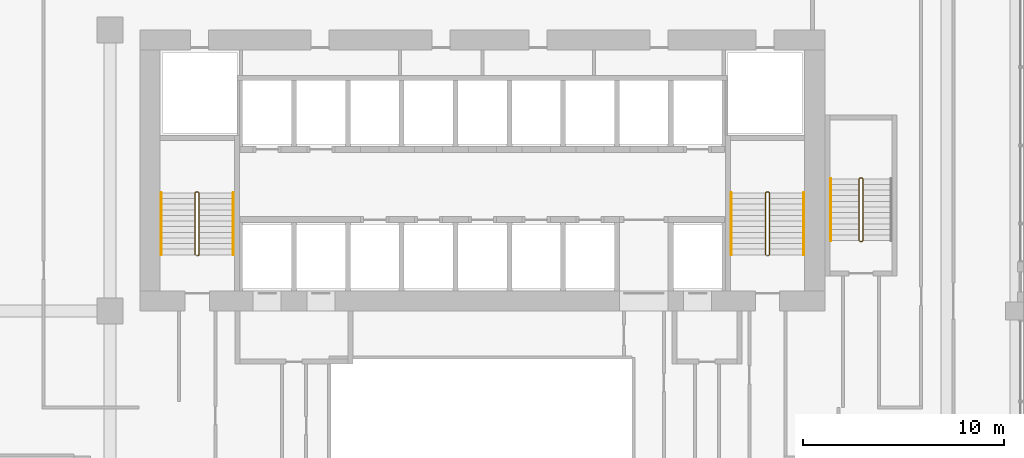
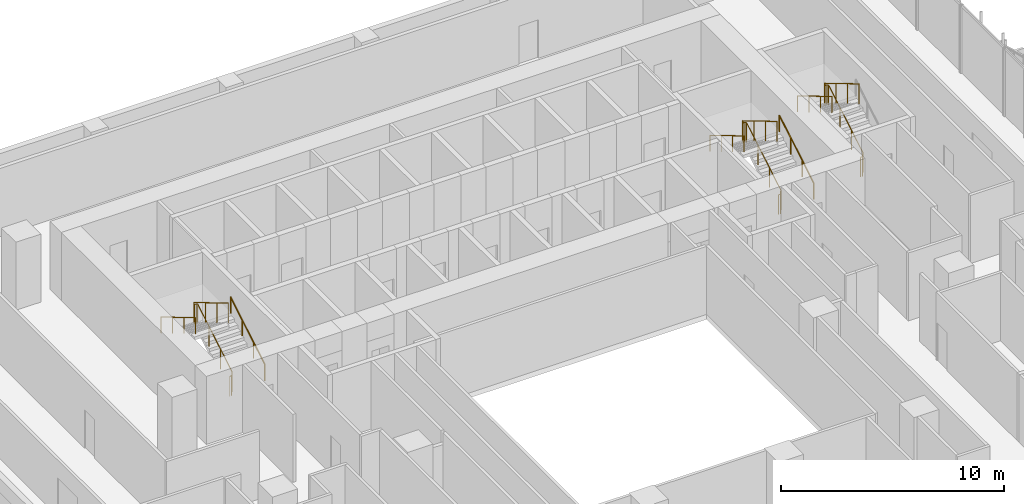
# One storey, part 26 of 27: 8 railings.
"""IFC4 building model written with IfcOpenShell, lengths in metres."""

from ifc_helpers import new_model, si_unit, direction, frame, origin, origin_2d, place, context, subcontext, project, spatial, circle, extrude, material, type_object, element, save


model = new_model("IFC4")

# Units and contexts
model_context = context("Model", 3, precision=1e-05, world=origin(), true_north=direction((0.0, 1.0)))
body_context = subcontext(model_context, "Body", "Model", "MODEL_VIEW")
ifc_project = project(units=[si_unit("LENGTHUNIT", "METRE"), si_unit("AREAUNIT", "SQUARE_METRE"), si_unit("VOLUMEUNIT", "CUBIC_METRE"), si_unit("PLANEANGLEUNIT", "RADIAN"), si_unit("MASSUNIT", "GRAM", prefix="KILO")], contexts=[model_context])

# Site, building, storey
site_placement = place(None, origin())
site = spatial("IfcSite", under=ifc_project, at=site_placement, CompositionType="ELEMENT")
building_placement = place(site_placement, origin())
building = spatial("IfcBuilding", under=site, at=building_placement, Name="Kilnfold Tower and Market Hall", CompositionType="ELEMENT")
storey_placement = place(building_placement, frame((0.0, 0.0, 43.0)))
storey = spatial("IfcBuildingStorey", under=building, at=storey_placement, Name="L09", CompositionType="ELEMENT", Elevation=43.0)

# Railings
ifc_material_1 = material(Name="Stainless steel 316", Category="steel")
railing_type_1 = type_object("IfcRailingType", Name="CORE STAIR GUARD 1100", PredefinedType="GUARDRAIL", material=ifc_material_1)
railing_1_placement = place(storey_placement, frame((-13.199951171875, 10.75, 0.0)))
element("IfcRailing", 1, at=railing_1_placement, inside=storey, type_object=railing_type_1, Name="L09 ST1 stair guard 1", PredefinedType="GUARDRAIL", context=body_context, shape_type="SweptSolid", body=[
    extrude(circle(Radius=0.02392578125, at=origin_2d()), frame((0.0, 0.0, 1.076171875), z_axis=(1.0, 0.0, 0.0), x_axis=(0.0, 1.0, 0.0)), (0.0, 0.0, 1.0), 0.099853515625),
    extrude(circle(Radius=0.02392578125, at=origin_2d()), frame((0.099853515625, 0.0, 1.076171875), z_axis=(0.27628659633, 0.27628659633, 0.920506074601), x_axis=(-0.707106781187, 0.707106781187, 0.0)), (0.0, 0.0, 1.0), 0.18115234375),
    extrude(circle(Radius=0.02392578125, at=origin_2d()), frame((0.14990234375, 0.050048828125, 1.24267578125), z_axis=(0.0, 0.859290745958, 0.51148745235), x_axis=(-1.0, 0.0, 0.0)), (0.0, 0.0, 1.0), 3.584228515625),
    extrude(circle(Radius=0.02392578125, at=origin_2d()), frame((0.14990234375, 3.1298828125, 3.076171875), z_axis=(-0.707106781187, 0.707106781187, 0.0), x_axis=(-0.707106781187, -0.707106781187, 0.0)), (0.0, 0.0, 1.0), 0.07080078125),
    extrude(circle(Radius=0.02392578125, at=origin_2d()), frame((0.099853515625, 3.179931640625, 3.076171875), z_axis=(-1.0, 0.0, 0.0), x_axis=(0.0, -1.0, 0.0)), (0.0, 0.0, 1.0), 0.099853515625),
    extrude(circle(Radius=0.02392578125, at=origin_2d()), frame((0.0, 3.179931640625, 3.076171875), z_axis=(-0.27628659633, -0.27628659633, 0.920506074601), x_axis=(0.707106781187, -0.707106781187, 0.0)), (0.0, 0.0, 1.0), 0.18115234375),
    extrude(circle(Radius=0.02392578125, at=origin_2d()), frame((-0.050048828125, 3.1298828125, 3.24267578125), z_axis=(0.0, -0.859290745958, 0.51148745235), x_axis=(1.0, 0.0, 0.0)), (0.0, 0.0, 1.0), 3.584228515625),
    extrude(circle(Radius=0.02099609375, at=origin_2d()), origin(), (0.0, 0.0, 1.0), 1.052001953125),
    extrude(circle(Radius=0.02099609375, at=origin_2d()), frame((0.099853515625, 0.0, 0.0)), (0.0, 0.0, 1.0), 1.052001953125),
    extrude(circle(Radius=0.02099609375, at=origin_2d()), frame((0.14990234375, 0.050048828125, 0.166748046875)), (0.0, 0.0, 1.0), 1.052001953125),
    extrude(circle(Radius=0.02099609375, at=origin_2d()), frame((0.14990234375, 1.07666015625, 0.77783203125)), (0.0, 0.0, 1.0), 1.052001953125),
    extrude(circle(Radius=0.02099609375, at=origin_2d()), frame((0.14990234375, 2.103271484375, 1.388916015625)), (0.0, 0.0, 1.0), 1.052001953125),
    extrude(circle(Radius=0.02099609375, at=origin_2d()), frame((0.14990234375, 3.1298828125, 2.0)), (0.0, 0.0, 1.0), 1.052001953125),
    extrude(circle(Radius=0.02099609375, at=origin_2d()), frame((0.099853515625, 3.179931640625, 2.0)), (0.0, 0.0, 1.0), 1.052001953125),
    extrude(circle(Radius=0.02099609375, at=origin_2d()), frame((0.0, 3.179931640625, 2.0)), (0.0, 0.0, 1.0), 1.052001953125),
    extrude(circle(Radius=0.02099609375, at=origin_2d()), frame((-0.050048828125, 3.1298828125, 2.166748046875)), (0.0, 0.0, 1.0), 1.052001953125),
    extrude(circle(Radius=0.02099609375, at=origin_2d()), frame((-0.050048828125, 2.103271484375, 2.77783203125)), (0.0, 0.0, 1.0), 1.052001953125),
    extrude(circle(Radius=0.02099609375, at=origin_2d()), frame((-0.050048828125, 1.07666015625, 3.388916015625)), (0.0, 0.0, 1.0), 1.052001953125),
    extrude(circle(Radius=0.02099609375, at=origin_2d()), frame((-0.050048828125, 0.050048828125, 4.0)), (0.0, 0.0, 1.0), 1.052001953125),
])
railing_2_placement = place(storey_placement, frame((15.199951171875, 10.75, 0.0)))
element("IfcRailing", 2, at=railing_2_placement, inside=storey, type_object=railing_type_1, Name="L09 ST2 stair guard 1", PredefinedType="GUARDRAIL", context=body_context, shape_type="SweptSolid", body=[
    extrude(circle(Radius=0.02392578125, at=origin_2d()), frame((0.0, 0.0, 1.076171875), z_axis=(1.0, 0.0, 0.0), x_axis=(0.0, 1.0, 0.0)), (0.0, 0.0, 1.0), 0.10009765625),
    extrude(circle(Radius=0.02392578125, at=origin_2d()), frame((0.10009765625, 0.0, 1.076171875), z_axis=(0.27628659633, 0.27628659633, 0.920506074601), x_axis=(-0.707106781187, 0.707106781187, 0.0)), (0.0, 0.0, 1.0), 0.18115234375),
    extrude(circle(Radius=0.02392578125, at=origin_2d()), frame((0.150146484375, 0.050048828125, 1.24267578125), z_axis=(0.0, 0.859290745958, 0.51148745235), x_axis=(-1.0, 0.0, 0.0)), (0.0, 0.0, 1.0), 3.584228515625),
    extrude(circle(Radius=0.02392578125, at=origin_2d()), frame((0.150146484375, 3.1298828125, 3.076171875), z_axis=(-0.707106781187, 0.707106781187, 0.0), x_axis=(-0.707106781187, -0.707106781187, 0.0)), (0.0, 0.0, 1.0), 0.07080078125),
    extrude(circle(Radius=0.02392578125, at=origin_2d()), frame((0.10009765625, 3.179931640625, 3.076171875), z_axis=(-1.0, 0.0, 0.0), x_axis=(0.0, -1.0, 0.0)), (0.0, 0.0, 1.0), 0.10009765625),
    extrude(circle(Radius=0.02392578125, at=origin_2d()), frame((0.0, 3.179931640625, 3.076171875), z_axis=(-0.27628659633, -0.27628659633, 0.920506074601), x_axis=(0.707106781187, -0.707106781187, 0.0)), (0.0, 0.0, 1.0), 0.18115234375),
    extrude(circle(Radius=0.02392578125, at=origin_2d()), frame((-0.050048828125, 3.1298828125, 3.24267578125), z_axis=(0.0, -0.859290745958, 0.51148745235), x_axis=(1.0, 0.0, 0.0)), (0.0, 0.0, 1.0), 3.584228515625),
    extrude(circle(Radius=0.02099609375, at=origin_2d()), origin(), (0.0, 0.0, 1.0), 1.052001953125),
    extrude(circle(Radius=0.02099609375, at=origin_2d()), frame((0.10009765625, 0.0, 0.0)), (0.0, 0.0, 1.0), 1.052001953125),
    extrude(circle(Radius=0.02099609375, at=origin_2d()), frame((0.150146484375, 0.050048828125, 0.166748046875)), (0.0, 0.0, 1.0), 1.052001953125),
    extrude(circle(Radius=0.02099609375, at=origin_2d()), frame((0.150146484375, 1.07666015625, 0.77783203125)), (0.0, 0.0, 1.0), 1.052001953125),
    extrude(circle(Radius=0.02099609375, at=origin_2d()), frame((0.150146484375, 2.103271484375, 1.388916015625)), (0.0, 0.0, 1.0), 1.052001953125),
    extrude(circle(Radius=0.02099609375, at=origin_2d()), frame((0.150146484375, 3.1298828125, 2.0)), (0.0, 0.0, 1.0), 1.052001953125),
    extrude(circle(Radius=0.02099609375, at=origin_2d()), frame((0.10009765625, 3.179931640625, 2.0)), (0.0, 0.0, 1.0), 1.052001953125),
    extrude(circle(Radius=0.02099609375, at=origin_2d()), frame((0.0, 3.179931640625, 2.0)), (0.0, 0.0, 1.0), 1.052001953125),
    extrude(circle(Radius=0.02099609375, at=origin_2d()), frame((-0.050048828125, 3.1298828125, 2.166748046875)), (0.0, 0.0, 1.0), 1.052001953125),
    extrude(circle(Radius=0.02099609375, at=origin_2d()), frame((-0.050048828125, 2.103271484375, 2.77783203125)), (0.0, 0.0, 1.0), 1.052001953125),
    extrude(circle(Radius=0.02099609375, at=origin_2d()), frame((-0.050048828125, 1.07666015625, 3.388916015625)), (0.0, 0.0, 1.0), 1.052001953125),
    extrude(circle(Radius=0.02099609375, at=origin_2d()), frame((-0.050048828125, 0.050048828125, 4.0)), (0.0, 0.0, 1.0), 1.052001953125),
])
railing_3_placement = place(storey_placement, frame((19.85009765625, 11.449951171875, 0.0)))
element("IfcRailing", 3, at=railing_3_placement, inside=storey, type_object=railing_type_1, Name="L09 ST5 stair guard 1", PredefinedType="GUARDRAIL", context=body_context, shape_type="SweptSolid", body=[
    extrude(circle(Radius=0.02392578125, at=origin_2d()), frame((0.0, 0.0, 1.076171875), z_axis=(1.0, 0.0, 0.0), x_axis=(0.0, 1.0, 0.0)), (0.0, 0.0, 1.0), 0.099853515625),
    extrude(circle(Radius=0.02392578125, at=origin_2d()), frame((0.099853515625, 0.0, 1.076171875), z_axis=(0.27628659633, 0.27628659633, 0.920506074601), x_axis=(-0.707106781187, 0.707106781187, 0.0)), (0.0, 0.0, 1.0), 0.18115234375),
    extrude(circle(Radius=0.02392578125, at=origin_2d()), frame((0.14990234375, 0.050048828125, 1.24267578125), z_axis=(0.0, 0.859308565015, 0.511457515432), x_axis=(-1.0, 0.0, 0.0)), (0.0, 0.0, 1.0), 3.58447265625),
    extrude(circle(Radius=0.02392578125, at=origin_2d()), frame((0.14990234375, 3.130126953125, 3.076171875), z_axis=(-0.708833529934, 0.705375805398, 0.0), x_axis=(-0.705375805398, -0.708833529934, 0.0)), (0.0, 0.0, 1.0), 0.070556640625),
    extrude(circle(Radius=0.02392578125, at=origin_2d()), frame((0.099853515625, 3.179931640625, 3.076171875), z_axis=(-1.0, 0.0, 0.0), x_axis=(0.0, -1.0, 0.0)), (0.0, 0.0, 1.0), 0.099853515625),
    extrude(circle(Radius=0.02392578125, at=origin_2d()), frame((0.0, 3.179931640625, 3.076171875), z_axis=(-0.276389281352, -0.275041040955, 0.920848191041), x_axis=(0.705375805398, -0.708833529934, 0.0)), (0.0, 0.0, 1.0), 0.18115234375),
    extrude(circle(Radius=0.02392578125, at=origin_2d()), frame((-0.050048828125, 3.130126953125, 3.24267578125), z_axis=(0.0, -0.859308565015, 0.511457515432), x_axis=(1.0, 0.0, 0.0)), (0.0, 0.0, 1.0), 3.58447265625),
    extrude(circle(Radius=0.02099609375, at=origin_2d()), origin(), (0.0, 0.0, 1.0), 1.052001953125),
    extrude(circle(Radius=0.02099609375, at=origin_2d()), frame((0.099853515625, 0.0, 0.0)), (0.0, 0.0, 1.0), 1.052001953125),
    extrude(circle(Radius=0.02099609375, at=origin_2d()), frame((0.14990234375, 0.050048828125, 0.166748046875)), (0.0, 0.0, 1.0), 1.052001953125),
    extrude(circle(Radius=0.02099609375, at=origin_2d()), frame((0.14990234375, 1.07666015625, 0.77783203125)), (0.0, 0.0, 1.0), 1.052001953125),
    extrude(circle(Radius=0.02099609375, at=origin_2d()), frame((0.14990234375, 2.103515625, 1.388916015625)), (0.0, 0.0, 1.0), 1.052001953125),
    extrude(circle(Radius=0.02099609375, at=origin_2d()), frame((0.14990234375, 3.130126953125, 2.0)), (0.0, 0.0, 1.0), 1.052001953125),
    extrude(circle(Radius=0.02099609375, at=origin_2d()), frame((0.099853515625, 3.179931640625, 2.0)), (0.0, 0.0, 1.0), 1.052001953125),
    extrude(circle(Radius=0.02099609375, at=origin_2d()), frame((0.0, 3.179931640625, 2.0)), (0.0, 0.0, 1.0), 1.052001953125),
    extrude(circle(Radius=0.02099609375, at=origin_2d()), frame((-0.050048828125, 3.130126953125, 2.166748046875)), (0.0, 0.0, 1.0), 1.052001953125),
    extrude(circle(Radius=0.02099609375, at=origin_2d()), frame((-0.050048828125, 2.103515625, 2.77783203125)), (0.0, 0.0, 1.0), 1.052001953125),
    extrude(circle(Radius=0.02099609375, at=origin_2d()), frame((-0.050048828125, 1.07666015625, 3.388916015625)), (0.0, 0.0, 1.0), 1.052001953125),
    extrude(circle(Radius=0.02099609375, at=origin_2d()), frame((-0.050048828125, 0.050048828125, 4.0)), (0.0, 0.0, 1.0), 1.052001953125),
])
ifc_material_2 = material(Name="Stainless steel 316", Category="steel")
railing_type_2 = type_object("IfcRailingType", Name="CORE STAIR HANDRAIL 900", PredefinedType="HANDRAIL", material=ifc_material_2)
railing_4_placement = place(storey_placement, frame((-11.35009765625, 10.800048828125, 0.166748046875)))
element("IfcRailing", 4, at=railing_4_placement, inside=storey, type_object=railing_type_2, Name="L09 ST1 stair handrail 1", PredefinedType="HANDRAIL", context=body_context, shape_type="SweptSolid", body=[
    extrude(circle(Radius=0.02392578125, at=origin_2d()), frame((0.0, 0.0, 0.8759765625), z_axis=(0.0, 0.859290745958, 0.51148745235), x_axis=(-1.0, 0.0, 0.0)), (0.0, 0.0, 1.0), 3.584228515625),
    extrude(circle(Radius=0.02099609375, at=origin_2d()), origin(), (0.0, 0.0, 1.0), 0.851806640625),
    extrude(circle(Radius=0.02099609375, at=origin_2d()), frame((0.0, 1.026611328125, 0.611083984375)), (0.0, 0.0, 1.0), 0.851806640625),
    extrude(circle(Radius=0.02099609375, at=origin_2d()), frame((0.0, 2.05322265625, 1.22216796875)), (0.0, 0.0, 1.0), 0.851806640625),
    extrude(circle(Radius=0.02099609375, at=origin_2d()), frame((0.0, 3.079833984375, 1.833251953125)), (0.0, 0.0, 1.0), 0.851806640625),
])
railing_5_placement = place(storey_placement, frame((-14.949951171875, 13.8798828125, 2.166748046875)))
element("IfcRailing", 5, at=railing_5_placement, inside=storey, type_object=railing_type_2, Name="L09 ST1 stair handrail 2", PredefinedType="HANDRAIL", context=body_context, shape_type="SweptSolid", body=[
    extrude(circle(Radius=0.02392578125, at=origin_2d()), frame((0.0, 0.0, 0.8759765625), z_axis=(0.0, -0.859290745958, 0.51148745235), x_axis=(1.0, 0.0, 0.0)), (0.0, 0.0, 1.0), 3.584228515625),
    extrude(circle(Radius=0.02099609375, at=origin_2d()), origin(), (0.0, 0.0, 1.0), 0.851806640625),
    extrude(circle(Radius=0.02099609375, at=origin_2d()), frame((0.0, -1.026611328125, 0.611083984375)), (0.0, 0.0, 1.0), 0.851806640625),
    extrude(circle(Radius=0.02099609375, at=origin_2d()), frame((0.0, -2.05322265625, 1.22216796875)), (0.0, 0.0, 1.0), 0.851806640625),
    extrude(circle(Radius=0.02099609375, at=origin_2d()), frame((0.0, -3.079833984375, 1.833251953125)), (0.0, 0.0, 1.0), 0.851806640625),
])
railing_6_placement = place(storey_placement, frame((17.050048828125, 10.800048828125, 0.166748046875)))
element("IfcRailing", 6, at=railing_6_placement, inside=storey, type_object=railing_type_2, Name="L09 ST2 stair handrail 1", PredefinedType="HANDRAIL", context=body_context, shape_type="SweptSolid", body=[
    extrude(circle(Radius=0.02392578125, at=origin_2d()), frame((0.0, 0.0, 0.8759765625), z_axis=(0.0, 0.859290745958, 0.51148745235), x_axis=(-1.0, 0.0, 0.0)), (0.0, 0.0, 1.0), 3.584228515625),
    extrude(circle(Radius=0.02099609375, at=origin_2d()), origin(), (0.0, 0.0, 1.0), 0.851806640625),
    extrude(circle(Radius=0.02099609375, at=origin_2d()), frame((0.0, 1.026611328125, 0.611083984375)), (0.0, 0.0, 1.0), 0.851806640625),
    extrude(circle(Radius=0.02099609375, at=origin_2d()), frame((0.0, 2.05322265625, 1.22216796875)), (0.0, 0.0, 1.0), 0.851806640625),
    extrude(circle(Radius=0.02099609375, at=origin_2d()), frame((0.0, 3.079833984375, 1.833251953125)), (0.0, 0.0, 1.0), 0.851806640625),
])
railing_7_placement = place(storey_placement, frame((13.449951171875, 13.8798828125, 2.166748046875)))
element("IfcRailing", 7, at=railing_7_placement, inside=storey, type_object=railing_type_2, Name="L09 ST2 stair handrail 2", PredefinedType="HANDRAIL", context=body_context, shape_type="SweptSolid", body=[
    extrude(circle(Radius=0.02392578125, at=origin_2d()), frame((0.0, 0.0, 0.8759765625), z_axis=(0.0, -0.859290745958, 0.51148745235), x_axis=(1.0, 0.0, 0.0)), (0.0, 0.0, 1.0), 3.584228515625),
    extrude(circle(Radius=0.02099609375, at=origin_2d()), origin(), (0.0, 0.0, 1.0), 0.851806640625),
    extrude(circle(Radius=0.02099609375, at=origin_2d()), frame((0.0, -1.026611328125, 0.611083984375)), (0.0, 0.0, 1.0), 0.851806640625),
    extrude(circle(Radius=0.02099609375, at=origin_2d()), frame((0.0, -2.05322265625, 1.22216796875)), (0.0, 0.0, 1.0), 0.851806640625),
    extrude(circle(Radius=0.02099609375, at=origin_2d()), frame((0.0, -3.079833984375, 1.833251953125)), (0.0, 0.0, 1.0), 0.851806640625),
])
railing_8_placement = place(storey_placement, frame((18.39990234375, 14.580078125, 2.166748046875)))
element("IfcRailing", 8, at=railing_8_placement, inside=storey, type_object=railing_type_2, Name="L09 ST5 stair handrail 2", PredefinedType="HANDRAIL", context=body_context, shape_type="SweptSolid", body=[
    extrude(circle(Radius=0.02392578125, at=origin_2d()), frame((0.0, 0.0, 0.8759765625), z_axis=(0.0, -0.859308565015, 0.511457515432), x_axis=(1.0, 0.0, 0.0)), (0.0, 0.0, 1.0), 3.58447265625),
    extrude(circle(Radius=0.02099609375, at=origin_2d()), origin(), (0.0, 0.0, 1.0), 0.851806640625),
    extrude(circle(Radius=0.02099609375, at=origin_2d()), frame((0.0, -1.026611328125, 0.611083984375)), (0.0, 0.0, 1.0), 0.851806640625),
    extrude(circle(Radius=0.02099609375, at=origin_2d()), frame((0.0, -2.053466796875, 1.22216796875)), (0.0, 0.0, 1.0), 0.851806640625),
    extrude(circle(Radius=0.02099609375, at=origin_2d()), frame((0.0, -3.080078125, 1.833251953125)), (0.0, 0.0, 1.0), 0.851806640625),
])

save(model, "model.ifc")
